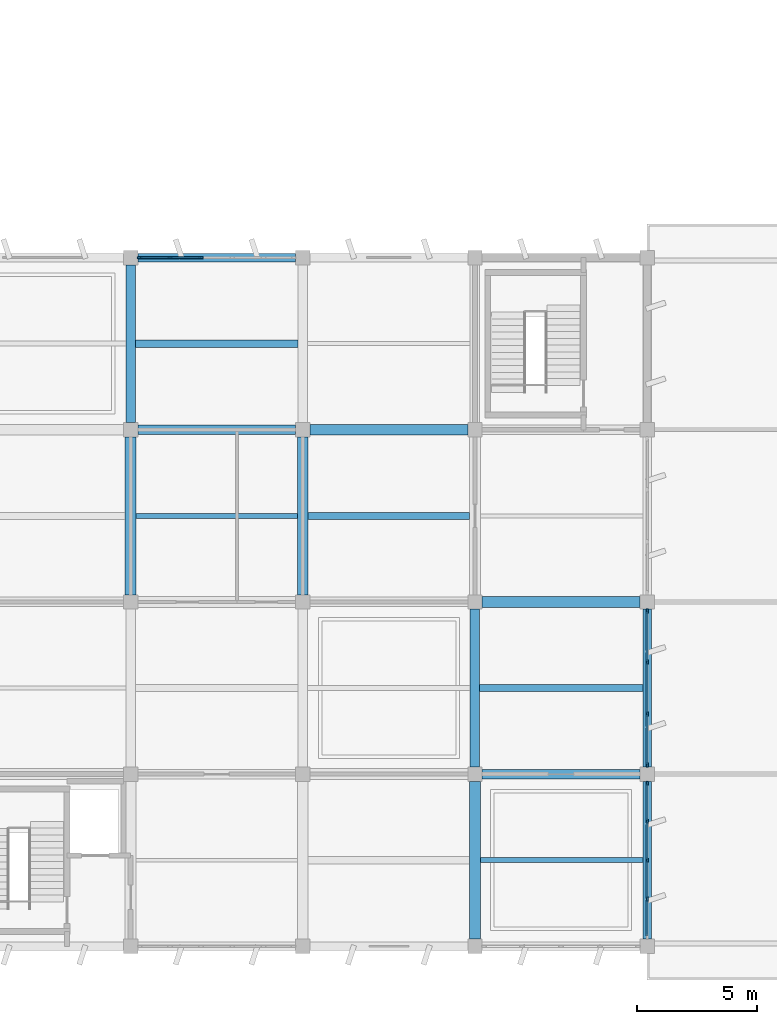
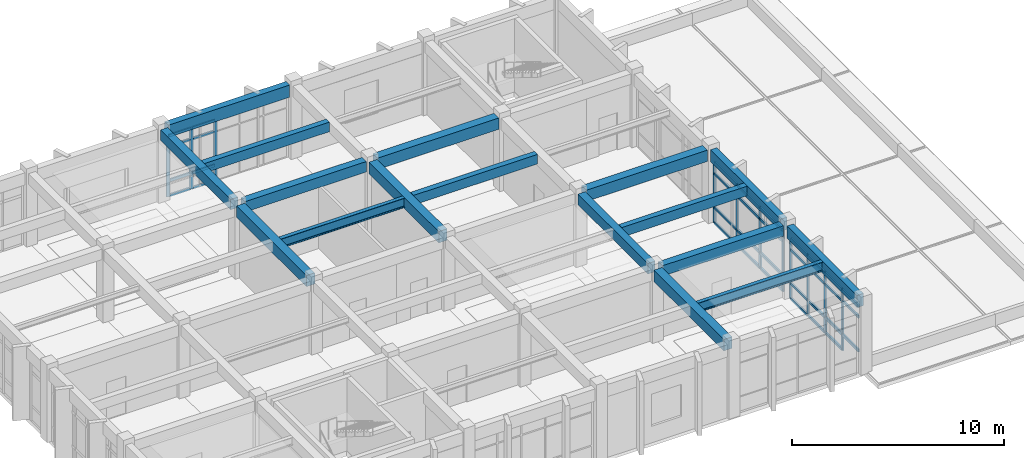
# One storey, part 29 of 81: 48 members, 15 beams, 3 elements without a shape of their own.
"""IFC4 building model written with IfcOpenShell, lengths in metres."""

from ifc_helpers import new_model, si_unit, direction, frame, origin, origin_2d, place, context, subcontext, project, spatial, rectangle, i_section, extrude, material, layer, layer_set, material_profile, profile_set, type_object, element, aggregate, save


model = new_model("IFC4")

# Units and contexts
model_context = context("Model", 3, precision=1e-05, world=origin(), true_north=direction((0.0, 1.0)))
body_context = subcontext(model_context, "Body", "Model", "MODEL_VIEW")
ifc_project = project(units=[si_unit("LENGTHUNIT", "METRE"), si_unit("AREAUNIT", "SQUARE_METRE"), si_unit("VOLUMEUNIT", "CUBIC_METRE"), si_unit("PLANEANGLEUNIT", "RADIAN"), si_unit("MASSUNIT", "GRAM", prefix="KILO")], contexts=[model_context])

# Site, building, storey
site_placement = place(None, origin())
site = spatial("IfcSite", under=ifc_project, at=site_placement, CompositionType="ELEMENT")
building_placement = place(site_placement, origin())
building = spatial("IfcBuilding", under=site, at=building_placement, Name="Kavelor Marine Aquarium", CompositionType="ELEMENT")
storey_placement = place(building_placement, frame((0.0, 0.0, 4.679931640625)))
storey = spatial("IfcBuildingStorey", under=building, at=storey_placement, Name="L01", CompositionType="ELEMENT", Elevation=4.679931640625)

# Beams
ifc_material_1 = material(Name="Concrete C40/50", Category="concrete")
ifc_material_profile_1 = material_profile(ifc_material_1, rectangle(XDim=0.449951171875, YDim=0.64990234375, at=origin_2d()), Name="RC-BM 450x650")
ifc_profile_set_1 = profile_set([ifc_material_profile_1], Name="Concrete C40/50")
beam_type_1 = type_object("IfcBeamType", Name="BM-B3", PredefinedType="BEAM", material=ifc_profile_set_1)
beam_1_placement = place(storey_placement, frame((140.300048828125, 24.39990234375, 3.875), z_axis=(1.0, 0.0, 0.0), x_axis=(0.0, 1.0, 0.0)))
element("IfcBeam", 1, at=beam_1_placement, inside=storey, type_object=beam_type_1, Name="bm:x:L01:L02:19_03", PredefinedType="BEAM", context=body_context, shape_type="SweptSolid", body=[
    extrude(rectangle(XDim=0.449951171875, YDim=0.64990234375, at=origin_2d()), origin(), (0.0, 0.0, 1.0), 6.599853515625),
])
for number, where, z_axis, x_axis, name in (
    (2, (147.5, 17.199951171875, 3.875), (1.0, 0.0, 0.0), (0.0, 1.0, 0.0), "bm:x:L01:L02:20_02"),
    (3, (132.800048828125, 17.5, 3.875), (0.0, 1.0, 0.0), (-1.0, 0.0, 0.0), "bm:y:L01:L02:18_02"),
    (4, (140.0, 17.5, 3.875), (0.0, 1.0, 0.0), (-1.0, 0.0, 0.0), "bm:y:L01:L02:19_02"),
):
    element("IfcBeam", number, at=place(storey_placement, frame(where, z_axis=z_axis, x_axis=x_axis)), inside=storey, type_object=beam_type_1, Name=name, PredefinedType="BEAM", context=body_context, shape_type="SweptSolid", body=[
        extrude(rectangle(XDim=0.449951171875, YDim=0.64990234375, at=origin_2d()), origin(), (0.0, 0.0, 1.0), 6.60009765625),
    ])
beam_2_placement = place(storey_placement, frame((147.199951171875, 3.10009765625, 3.875), z_axis=(0.0, 1.0, 0.0), x_axis=(-1.0, 0.0, 0.0)))
element("IfcBeam", 5, at=beam_2_placement, inside=storey, type_object=beam_type_1, Name="bm:y:L01:L02:20_00", PredefinedType="BEAM", context=body_context, shape_type="SweptSolid", body=[
    extrude(rectangle(XDim=0.449951171875, YDim=0.64990234375, at=origin_2d()), origin(), (0.0, 0.0, 1.0), 6.599853515625),
])
ifc_material_2 = material(Name="Concrete C40/50", Category="concrete")
ifc_material_profile_2 = material_profile(ifc_material_2, rectangle(XDim=0.39990234375, YDim=0.60009765625, at=origin_2d()), Name="RC-BM 400x600")
ifc_profile_set_2 = profile_set([ifc_material_profile_2], Name="Concrete C40/50")
beam_type_2 = type_object("IfcBeamType", Name="BM-B4", PredefinedType="BEAM", material=ifc_profile_set_2)
beam_3_placement = place(storey_placement, frame((133.10009765625, 24.39990234375, 3.900146484375), z_axis=(1.0, 0.0, 0.0), x_axis=(0.0, 1.0, 0.0)))
element("IfcBeam", 6, at=beam_3_placement, inside=storey, type_object=beam_type_2, Name="bm:x:L01:L02:18_03", PredefinedType="BEAM", context=body_context, shape_type="SweptSolid", body=[
    extrude(rectangle(XDim=0.39990234375, YDim=0.60009765625, at=origin_2d()), origin(), (0.0, 0.0, 1.0), 6.599853515625),
])
for number, where, z_axis, x_axis, name in (
    (7, (147.5, 10.0, 3.900146484375), (1.0, 0.0, 0.0), (0.0, 1.0, 0.0), "bm:x:L01:L02:20_01"),
    (8, (132.800048828125, 24.699951171875, 3.900146484375), (0.0, 1.0, 0.0), (-1.0, 0.0, 0.0), "bm:y:L01:L02:18_03"),
):
    element("IfcBeam", number, at=place(storey_placement, frame(where, z_axis=z_axis, x_axis=x_axis)), inside=storey, type_object=beam_type_2, Name=name, PredefinedType="BEAM", context=body_context, shape_type="SweptSolid", body=[
        extrude(rectangle(XDim=0.39990234375, YDim=0.60009765625, at=origin_2d()), origin(), (0.0, 0.0, 1.0), 6.60009765625),
    ])
beam_4_placement = place(storey_placement, frame((147.199951171875, 10.300048828125, 3.900146484375), z_axis=(0.0, 1.0, 0.0), x_axis=(-1.0, 0.0, 0.0)))
element("IfcBeam", 9, at=beam_4_placement, inside=storey, type_object=beam_type_2, Name="bm:y:L01:L02:20_01", PredefinedType="BEAM", context=body_context, shape_type="SweptSolid", body=[
    extrude(rectangle(XDim=0.39990234375, YDim=0.60009765625, at=origin_2d()), origin(), (0.0, 0.0, 1.0), 6.599853515625),
])
ifc_material_3 = material(Name="Concrete C40/50", Category="concrete")
ifc_material_profile_3 = material_profile(ifc_material_3, rectangle(XDim=0.300048828125, YDim=0.550048828125, at=origin_2d()), Name="RC-JS 300x550")
ifc_profile_set_3 = profile_set([ifc_material_profile_3], Name="Concrete C40/50")
beam_type_3 = type_object("IfcBeamType", Name="BM-JS2", PredefinedType="JOIST", material=ifc_profile_set_3)
beam_5_placement = place(storey_placement, frame((133.0, 28.0, 3.945068359375), z_axis=(1.0, 0.0, 0.0), x_axis=(0.0, 1.0, 0.0)))
element("IfcBeam", 10, at=beam_5_placement, inside=storey, type_object=beam_type_3, Name="js:L01:L02:18_03", PredefinedType="JOIST", context=body_context, shape_type="SweptSolid", body=[
    extrude(rectangle(XDim=0.300048828125, YDim=0.550048828125, at=origin_2d()), origin(), (0.0, 0.0, 1.0), 6.800048828125),
])
beam_6_placement = place(storey_placement, frame((140.22509765625, 20.800048828125, 3.945068359375), z_axis=(1.0, 0.0, 0.0), x_axis=(0.0, 1.0, 0.0)))
element("IfcBeam", 11, at=beam_6_placement, inside=storey, type_object=beam_type_3, Name="js:L01:L02:19_02", PredefinedType="JOIST", context=body_context, shape_type="SweptSolid", body=[
    extrude(rectangle(XDim=0.300048828125, YDim=0.550048828125, at=origin_2d()), origin(), (0.0, 0.0, 1.0), 6.75),
])
beam_7_placement = place(storey_placement, frame((147.39990234375, 13.60009765625, 3.945068359375), z_axis=(1.0, 0.0, 0.0), x_axis=(0.0, 1.0, 0.0)))
element("IfcBeam", 12, at=beam_7_placement, inside=storey, type_object=beam_type_3, Name="js:L01:L02:20_01", PredefinedType="JOIST", context=body_context, shape_type="SweptSolid", body=[
    extrude(rectangle(XDim=0.300048828125, YDim=0.550048828125, at=origin_2d()), origin(), (0.0, 0.0, 1.0), 6.8251953125),
])
ifc_material_4 = material(Name="Concrete C40/50", Category="concrete")
ifc_material_profile_4 = material_profile(ifc_material_4, rectangle(XDim=0.35009765625, YDim=0.699951171875, at=origin_2d()), Name="RC-SP 350x700")
ifc_profile_set_4 = profile_set([ifc_material_profile_4], Name="Concrete C40/50")
beam_type_4 = type_object("IfcBeamType", Name="BM-SP1", PredefinedType="SPANDREL", material=ifc_profile_set_4)
for number, where, z_axis, x_axis, name in (
    (13, (133.10009765625, 31.60009765625, 3.8701171875), (1.0, 0.0, 0.0), (0.0, 1.0, 0.0), "bm:x:L01:L02:18_04"),
    (14, (154.39990234375, 3.10009765625, 3.85009765625), (0.0, 1.0, 0.0), (-1.0, 0.0, 0.0), "bm:y:L01:L02:21_00"),
    (15, (154.39990234375, 10.300048828125, 3.8701171875), (0.0, 1.0, 0.0), (-1.0, 0.0, 0.0), "bm:y:L01:L02:21_01"),
):
    element("IfcBeam", number, at=place(storey_placement, frame(where, z_axis=z_axis, x_axis=x_axis)), inside=storey, type_object=beam_type_4, Name=name, PredefinedType="SPANDREL", context=body_context, shape_type="SweptSolid", body=[
        extrude(rectangle(XDim=0.35009765625, YDim=0.699951171875, at=origin_2d()), origin(), (0.0, 0.0, 1.0), 6.599853515625),
    ])

# Curtain wall, members
ifc_material_5 = material(Name="Thermally Broken Aluminium and Low-E Glass", Category="aluminium")
ifc_layer_1 = layer(ifc_material_5, 0.26806640625)
ifc_layer_set_1 = layer_set([ifc_layer_1], Name="CW-SYS16")
curtain_wall_type_1 = type_object("IfcCurtainWallType", Name="CW-SYS16", PredefinedType="USERDEFINED", material=ifc_layer_set_1)
curtain_wall_1_placement = place(storey_placement, origin())
curtain_wall_1 = element("IfcCurtainWall", 16, at=curtain_wall_1_placement, inside=storey, type_object=curtain_wall_type_1, Name="cw:y:L01:21_00", ObjectType="Curtain Wall", PredefinedType="USERDEFINED")
ifc_material_6 = material(Name="Anodised Aluminium Alloy 6063-T6", Category="aluminium")
ifc_material_profile_5 = material_profile(ifc_material_6, rectangle(XDim=0.074951171875, YDim=0.179931640625, at=origin_2d()), Name="CW-MUL 75x180")
ifc_profile_set_5 = profile_set([ifc_material_profile_5], Name="Anodised Aluminium Alloy 6063-T6")
member_type_1 = type_object("IfcMemberType", Name="CWM-1", PredefinedType="MULLION", material=ifc_profile_set_5)
member_1_placement = place(storey_placement, frame((154.39990234375, 4.7724609375, 0.0), z_axis=(0.0, 0.0, 1.0), x_axis=(-1.0, 0.0, 0.0)))
member_1 = element("IfcMember", 17, at=member_1_placement, type_object=member_type_1, Name="CW16 mullion 2", PredefinedType="MULLION", context=body_context, shape_type="SweptSolid", body=[
    extrude(rectangle(XDim=0.074951171875, YDim=0.179931640625, at=origin_2d()), origin(), (0.0, 0.0, 1.0), 3.489990234375),
])
member_2_placement = place(storey_placement, frame((154.39990234375, 6.39990234375, 0.0), z_axis=(0.0, 0.0, 1.0), x_axis=(-1.0, 0.0, 0.0)))
member_2 = element("IfcMember", 18, at=member_2_placement, type_object=member_type_1, Name="CW16 mullion 3", PredefinedType="MULLION", context=body_context, shape_type="SweptSolid", body=[
    extrude(rectangle(XDim=0.074951171875, YDim=0.179931640625, at=origin_2d()), origin(), (0.0, 0.0, 1.0), 3.489990234375),
])
member_3_placement = place(storey_placement, frame((154.39990234375, 8.027587890625, 0.0), z_axis=(0.0, 0.0, 1.0), x_axis=(-1.0, 0.0, 0.0)))
member_3 = element("IfcMember", 19, at=member_3_placement, type_object=member_type_1, Name="CW16 mullion 4", PredefinedType="MULLION", context=body_context, shape_type="SweptSolid", body=[
    extrude(rectangle(XDim=0.074951171875, YDim=0.179931640625, at=origin_2d()), origin(), (0.0, 0.0, 1.0), 3.489990234375),
])
member_4_placement = place(storey_placement, frame((154.39990234375, 9.617431640625, 0.0), z_axis=(0.0, 0.0, 1.0), x_axis=(-1.0, 0.0, 0.0)))
member_4 = element("IfcMember", 20, at=member_4_placement, type_object=member_type_1, Name="CW16 mullion 5", PredefinedType="MULLION", context=body_context, shape_type="SweptSolid", body=[
    extrude(rectangle(XDim=0.074951171875, YDim=0.179931640625, at=origin_2d()), origin(), (0.0, 0.0, 1.0), 3.489990234375),
])

ifc_material_7 = material(Name="Thermally Broken Aluminium and Low-E Glass", Category="aluminium")
ifc_layer_2 = layer(ifc_material_7, 0.2041015625)
ifc_layer_set_2 = layer_set([ifc_layer_2], Name="CW-SYS8")
curtain_wall_type_2 = type_object("IfcCurtainWallType", Name="CW-SYS8", PredefinedType="USERDEFINED", material=ifc_layer_set_2)
curtain_wall_2_placement = place(storey_placement, origin())
curtain_wall_2 = element("IfcCurtainWall", 21, at=curtain_wall_2_placement, inside=storey, type_object=curtain_wall_type_2, Name="cw:x:L01:18_04", ObjectType="Curtain Wall", PredefinedType="USERDEFINED")
ifc_material_8 = material(Name="Anodised Aluminium Alloy 6063-T6", Category="aluminium")
ifc_material_profile_6 = material_profile(ifc_material_8, rectangle(XDim=0.080078125, YDim=0.18505859375, at=origin_2d()), Name="CW-MUL 80x185")
ifc_profile_set_6 = profile_set([ifc_material_profile_6], Name="Anodised Aluminium Alloy 6063-T6")
member_type_2 = type_object("IfcMemberType", Name="CWM-2", PredefinedType="MULLION", material=ifc_profile_set_6)
member_5_placement = place(storey_placement, frame((133.177490234375, 31.60009765625, 0.0), z_axis=(0.0, 0.0, 1.0), x_axis=(0.0, 1.0, 0.0)))
member_5 = element("IfcMember", 22, at=member_5_placement, type_object=member_type_2, Name="CW08 mullion 1", PredefinedType="MULLION", context=body_context, shape_type="SweptSolid", body=[
    extrude(rectangle(XDim=0.080078125, YDim=0.18505859375, at=origin_2d()), origin(), (0.0, 0.0, 1.0), 3.510009765625),
])
member_6_placement = place(storey_placement, frame((134.447021484375, 31.60009765625, 0.0), z_axis=(0.0, 0.0, 1.0), x_axis=(0.0, 1.0, 0.0)))
member_6 = element("IfcMember", 23, at=member_6_placement, type_object=member_type_2, Name="CW08 mullion 2", PredefinedType="MULLION", context=body_context, shape_type="SweptSolid", body=[
    extrude(rectangle(XDim=0.080078125, YDim=0.18505859375, at=origin_2d()), origin(), (0.0, 0.0, 1.0), 3.510009765625),
])
member_7_placement = place(storey_placement, frame((135.7490234375, 31.60009765625, 0.0), z_axis=(0.0, 0.0, 1.0), x_axis=(0.0, 1.0, 0.0)))
member_7 = element("IfcMember", 24, at=member_7_placement, type_object=member_type_2, Name="CW08 mullion 3", PredefinedType="MULLION", context=body_context, shape_type="SweptSolid", body=[
    extrude(rectangle(XDim=0.080078125, YDim=0.18505859375, at=origin_2d()), origin(), (0.0, 0.0, 1.0), 3.510009765625),
])

ifc_material_9 = material(Name="Thermally Broken Aluminium and Low-E Glass", Category="aluminium")
ifc_layer_3 = layer(ifc_material_9, 0.27587890625)
ifc_layer_set_3 = layer_set([ifc_layer_3], Name="CW-SYS17")
curtain_wall_type_3 = type_object("IfcCurtainWallType", Name="CW-SYS17", PredefinedType="USERDEFINED", material=ifc_layer_set_3)
curtain_wall_3_placement = place(storey_placement, origin())
curtain_wall_3 = element("IfcCurtainWall", 25, at=curtain_wall_3_placement, inside=storey, type_object=curtain_wall_type_3, Name="cw:y:L01:21_01", ObjectType="Curtain Wall", PredefinedType="USERDEFINED")
member_8_placement = place(storey_placement, frame((154.39990234375, 10.37744140625, 0.0), z_axis=(0.0, 0.0, 1.0), x_axis=(-1.0, 0.0, 0.0)))
member_8 = element("IfcMember", 26, at=member_8_placement, type_object=member_type_2, Name="CW17 mullion 1", PredefinedType="MULLION", context=body_context, shape_type="SweptSolid", body=[
    extrude(rectangle(XDim=0.080078125, YDim=0.18505859375, at=origin_2d()), origin(), (0.0, 0.0, 1.0), 3.510009765625),
])
member_9_placement = place(storey_placement, frame((154.39990234375, 12.514892578125, 0.0), z_axis=(0.0, 0.0, 1.0), x_axis=(-1.0, 0.0, 0.0)))
member_9 = element("IfcMember", 27, at=member_9_placement, type_object=member_type_2, Name="CW17 mullion 2", PredefinedType="MULLION", context=body_context, shape_type="SweptSolid", body=[
    extrude(rectangle(XDim=0.080078125, YDim=0.18505859375, at=origin_2d()), origin(), (0.0, 0.0, 1.0), 3.510009765625),
])
member_10_placement = place(storey_placement, frame((154.39990234375, 14.68505859375, 0.0), z_axis=(0.0, 0.0, 1.0), x_axis=(-1.0, 0.0, 0.0)))
member_10 = element("IfcMember", 28, at=member_10_placement, type_object=member_type_2, Name="CW17 mullion 3", PredefinedType="MULLION", context=body_context, shape_type="SweptSolid", body=[
    extrude(rectangle(XDim=0.080078125, YDim=0.18505859375, at=origin_2d()), origin(), (0.0, 0.0, 1.0), 3.510009765625),
])
member_11_placement = place(storey_placement, frame((154.39990234375, 16.822509765625, 0.0), z_axis=(0.0, 0.0, 1.0), x_axis=(-1.0, 0.0, 0.0)))
member_11 = element("IfcMember", 29, at=member_11_placement, type_object=member_type_2, Name="CW17 mullion 4", PredefinedType="MULLION", context=body_context, shape_type="SweptSolid", body=[
    extrude(rectangle(XDim=0.080078125, YDim=0.18505859375, at=origin_2d()), origin(), (0.0, 0.0, 1.0), 3.510009765625),
])

# Member
ifc_material_10 = material(Name="Anodised Aluminium Alloy 6063-T6", Category="aluminium")
ifc_material_profile_7 = material_profile(ifc_material_10, rectangle(XDim=0.080078125, YDim=0.155029296875, at=origin_2d()), Name="CW-TRN 80x155")
ifc_profile_set_7 = profile_set([ifc_material_profile_7], Name="Anodised Aluminium Alloy 6063-T6")
member_type_3 = type_object("IfcMemberType", Name="CWT-2", PredefinedType="USERDEFINED", material=ifc_profile_set_7)
member_12_placement = place(storey_placement, frame((133.2099609375, 31.60009765625, 0.032470703125), z_axis=(1.0, 0.0, 0.0), x_axis=(0.0, 1.0, 0.0)))
member_12 = element("IfcMember", 30, at=member_12_placement, type_object=member_type_3, Name="CW08 transom 1.1", ObjectType="TRANSOM", PredefinedType="USERDEFINED", context=body_context, shape_type="SweptSolid", body=[
    extrude(rectangle(XDim=0.080078125, YDim=0.155029296875, at=origin_2d()), origin(), (0.0, 0.0, 1.0), 1.20458984375),
])

member_13_placement = place(storey_placement, frame((133.2099609375, 31.60009765625, 0.900146484375), z_axis=(1.0, 0.0, 0.0), x_axis=(0.0, 1.0, 0.0)))
member_13 = element("IfcMember", 31, at=member_13_placement, type_object=member_type_3, Name="CW08 transom 1.2", ObjectType="TRANSOM", PredefinedType="USERDEFINED", context=body_context, shape_type="SweptSolid", body=[
    extrude(rectangle(XDim=0.080078125, YDim=0.155029296875, at=origin_2d()), origin(), (0.0, 0.0, 1.0), 1.20458984375),
])

member_14_placement = place(storey_placement, frame((133.2099609375, 31.60009765625, 2.860107421875), z_axis=(1.0, 0.0, 0.0), x_axis=(0.0, 1.0, 0.0)))
member_14 = element("IfcMember", 32, at=member_14_placement, type_object=member_type_3, Name="CW08 transom 1.3", ObjectType="TRANSOM", PredefinedType="USERDEFINED", context=body_context, shape_type="SweptSolid", body=[
    extrude(rectangle(XDim=0.080078125, YDim=0.155029296875, at=origin_2d()), origin(), (0.0, 0.0, 1.0), 1.20458984375),
])

member_15_placement = place(storey_placement, frame((133.2099609375, 31.60009765625, 3.4775390625), z_axis=(1.0, 0.0, 0.0), x_axis=(0.0, 1.0, 0.0)))
member_15 = element("IfcMember", 33, at=member_15_placement, type_object=member_type_3, Name="CW08 transom 1.4", ObjectType="TRANSOM", PredefinedType="USERDEFINED", context=body_context, shape_type="SweptSolid", body=[
    extrude(rectangle(XDim=0.080078125, YDim=0.155029296875, at=origin_2d()), origin(), (0.0, 0.0, 1.0), 1.20458984375),
])

member_16_placement = place(storey_placement, frame((134.4794921875, 31.60009765625, 0.032470703125), z_axis=(1.0, 0.0, 0.0), x_axis=(0.0, 1.0, 0.0)))
member_16 = element("IfcMember", 34, at=member_16_placement, type_object=member_type_3, Name="CW08 transom 2.1", ObjectType="TRANSOM", PredefinedType="USERDEFINED", context=body_context, shape_type="SweptSolid", body=[
    extrude(rectangle(XDim=0.080078125, YDim=0.155029296875, at=origin_2d()), origin(), (0.0, 0.0, 1.0), 1.237060546875),
])

member_17_placement = place(storey_placement, frame((134.4794921875, 31.60009765625, 0.900146484375), z_axis=(1.0, 0.0, 0.0), x_axis=(0.0, 1.0, 0.0)))
member_17 = element("IfcMember", 35, at=member_17_placement, type_object=member_type_3, Name="CW08 transom 2.2", ObjectType="TRANSOM", PredefinedType="USERDEFINED", context=body_context, shape_type="SweptSolid", body=[
    extrude(rectangle(XDim=0.080078125, YDim=0.155029296875, at=origin_2d()), origin(), (0.0, 0.0, 1.0), 1.237060546875),
])

member_18_placement = place(storey_placement, frame((134.4794921875, 31.60009765625, 2.860107421875), z_axis=(1.0, 0.0, 0.0), x_axis=(0.0, 1.0, 0.0)))
member_18 = element("IfcMember", 36, at=member_18_placement, type_object=member_type_3, Name="CW08 transom 2.3", ObjectType="TRANSOM", PredefinedType="USERDEFINED", context=body_context, shape_type="SweptSolid", body=[
    extrude(rectangle(XDim=0.080078125, YDim=0.155029296875, at=origin_2d()), origin(), (0.0, 0.0, 1.0), 1.237060546875),
])

member_19_placement = place(storey_placement, frame((134.4794921875, 31.60009765625, 3.4775390625), z_axis=(1.0, 0.0, 0.0), x_axis=(0.0, 1.0, 0.0)))
member_19 = element("IfcMember", 37, at=member_19_placement, type_object=member_type_3, Name="CW08 transom 2.4", ObjectType="TRANSOM", PredefinedType="USERDEFINED", context=body_context, shape_type="SweptSolid", body=[
    extrude(rectangle(XDim=0.080078125, YDim=0.155029296875, at=origin_2d()), origin(), (0.0, 0.0, 1.0), 1.237060546875),
])

aggregate(curtain_wall_2, [member_5, member_6, member_7, member_12, member_13, member_14, member_15, member_16, member_17, member_18, member_19])

ifc_material_11 = material(Name="Anodised Aluminium Alloy 6063-T6", Category="aluminium")
ifc_material_profile_8 = material_profile(ifc_material_11, rectangle(XDim=0.0849609375, YDim=0.159912109375, at=origin_2d()), Name="CW-TRN 85x160")
ifc_profile_set_8 = profile_set([ifc_material_profile_8], Name="Anodised Aluminium Alloy 6063-T6")
member_type_4 = type_object("IfcMemberType", Name="CWT-3", PredefinedType="USERDEFINED", material=ifc_profile_set_8)
member_20_placement = place(storey_placement, frame((154.39990234375, 3.219970703125, 0.900146484375), z_axis=(0.0, 1.0, 0.0), x_axis=(-1.0, 0.0, 0.0)))
member_20 = element("IfcMember", 38, at=member_20_placement, type_object=member_type_4, Name="CW16 transom 1.2", ObjectType="TRANSOM", PredefinedType="USERDEFINED", context=body_context, shape_type="SweptSolid", body=[
    extrude(rectangle(XDim=0.0849609375, YDim=0.159912109375, at=origin_2d()), origin(), (0.0, 0.0, 1.0), 1.51513671875),
])

member_21_placement = place(storey_placement, frame((154.39990234375, 3.219970703125, 2.840087890625), z_axis=(0.0, 1.0, 0.0), x_axis=(-1.0, 0.0, 0.0)))
member_21 = element("IfcMember", 39, at=member_21_placement, type_object=member_type_4, Name="CW16 transom 1.3", ObjectType="TRANSOM", PredefinedType="USERDEFINED", context=body_context, shape_type="SweptSolid", body=[
    extrude(rectangle(XDim=0.0849609375, YDim=0.159912109375, at=origin_2d()), origin(), (0.0, 0.0, 1.0), 1.51513671875),
])

member_22_placement = place(storey_placement, frame((154.39990234375, 3.219970703125, 3.4599609375), z_axis=(0.0, 1.0, 0.0), x_axis=(-1.0, 0.0, 0.0)))
member_22 = element("IfcMember", 40, at=member_22_placement, type_object=member_type_4, Name="CW16 transom 1.4", ObjectType="TRANSOM", PredefinedType="USERDEFINED", context=body_context, shape_type="SweptSolid", body=[
    extrude(rectangle(XDim=0.0849609375, YDim=0.159912109375, at=origin_2d()), origin(), (0.0, 0.0, 1.0), 1.51513671875),
])

member_23_placement = place(storey_placement, frame((154.39990234375, 4.81005859375, 0.030029296875), z_axis=(0.0, 1.0, 0.0), x_axis=(-1.0, 0.0, 0.0)))
member_23 = element("IfcMember", 41, at=member_23_placement, type_object=member_type_4, Name="CW16 transom 2.1", ObjectType="TRANSOM", PredefinedType="USERDEFINED", context=body_context, shape_type="SweptSolid", body=[
    extrude(rectangle(XDim=0.0849609375, YDim=0.159912109375, at=origin_2d()), origin(), (0.0, 0.0, 1.0), 1.552490234375),
])

member_24_placement = place(storey_placement, frame((154.39990234375, 4.81005859375, 0.900146484375), z_axis=(0.0, 1.0, 0.0), x_axis=(-1.0, 0.0, 0.0)))
member_24 = element("IfcMember", 42, at=member_24_placement, type_object=member_type_4, Name="CW16 transom 2.2", ObjectType="TRANSOM", PredefinedType="USERDEFINED", context=body_context, shape_type="SweptSolid", body=[
    extrude(rectangle(XDim=0.0849609375, YDim=0.159912109375, at=origin_2d()), origin(), (0.0, 0.0, 1.0), 1.552490234375),
])

member_25_placement = place(storey_placement, frame((154.39990234375, 4.81005859375, 2.840087890625), z_axis=(0.0, 1.0, 0.0), x_axis=(-1.0, 0.0, 0.0)))
member_25 = element("IfcMember", 43, at=member_25_placement, type_object=member_type_4, Name="CW16 transom 2.3", ObjectType="TRANSOM", PredefinedType="USERDEFINED", context=body_context, shape_type="SweptSolid", body=[
    extrude(rectangle(XDim=0.0849609375, YDim=0.159912109375, at=origin_2d()), origin(), (0.0, 0.0, 1.0), 1.552490234375),
])

member_26_placement = place(storey_placement, frame((154.39990234375, 4.81005859375, 3.4599609375), z_axis=(0.0, 1.0, 0.0), x_axis=(-1.0, 0.0, 0.0)))
member_26 = element("IfcMember", 44, at=member_26_placement, type_object=member_type_4, Name="CW16 transom 2.4", ObjectType="TRANSOM", PredefinedType="USERDEFINED", context=body_context, shape_type="SweptSolid", body=[
    extrude(rectangle(XDim=0.0849609375, YDim=0.159912109375, at=origin_2d()), origin(), (0.0, 0.0, 1.0), 1.552490234375),
])

member_27_placement = place(storey_placement, frame((154.39990234375, 6.4375, 0.030029296875), z_axis=(0.0, 1.0, 0.0), x_axis=(-1.0, 0.0, 0.0)))
member_27 = element("IfcMember", 45, at=member_27_placement, type_object=member_type_4, Name="CW16 transom 3.1", ObjectType="TRANSOM", PredefinedType="USERDEFINED", context=body_context, shape_type="SweptSolid", body=[
    extrude(rectangle(XDim=0.0849609375, YDim=0.159912109375, at=origin_2d()), origin(), (0.0, 0.0, 1.0), 1.552490234375),
])

member_28_placement = place(storey_placement, frame((154.39990234375, 6.4375, 0.900146484375), z_axis=(0.0, 1.0, 0.0), x_axis=(-1.0, 0.0, 0.0)))
member_28 = element("IfcMember", 46, at=member_28_placement, type_object=member_type_4, Name="CW16 transom 3.2", ObjectType="TRANSOM", PredefinedType="USERDEFINED", context=body_context, shape_type="SweptSolid", body=[
    extrude(rectangle(XDim=0.0849609375, YDim=0.159912109375, at=origin_2d()), origin(), (0.0, 0.0, 1.0), 1.552490234375),
])

member_29_placement = place(storey_placement, frame((154.39990234375, 6.4375, 2.840087890625), z_axis=(0.0, 1.0, 0.0), x_axis=(-1.0, 0.0, 0.0)))
member_29 = element("IfcMember", 47, at=member_29_placement, type_object=member_type_4, Name="CW16 transom 3.3", ObjectType="TRANSOM", PredefinedType="USERDEFINED", context=body_context, shape_type="SweptSolid", body=[
    extrude(rectangle(XDim=0.0849609375, YDim=0.159912109375, at=origin_2d()), origin(), (0.0, 0.0, 1.0), 1.552490234375),
])

member_30_placement = place(storey_placement, frame((154.39990234375, 6.4375, 3.4599609375), z_axis=(0.0, 1.0, 0.0), x_axis=(-1.0, 0.0, 0.0)))
member_30 = element("IfcMember", 48, at=member_30_placement, type_object=member_type_4, Name="CW16 transom 3.4", ObjectType="TRANSOM", PredefinedType="USERDEFINED", context=body_context, shape_type="SweptSolid", body=[
    extrude(rectangle(XDim=0.0849609375, YDim=0.159912109375, at=origin_2d()), origin(), (0.0, 0.0, 1.0), 1.552490234375),
])

member_31_placement = place(storey_placement, frame((154.39990234375, 8.06494140625, 0.030029296875), z_axis=(0.0, 1.0, 0.0), x_axis=(-1.0, 0.0, 0.0)))
member_31 = element("IfcMember", 49, at=member_31_placement, type_object=member_type_4, Name="CW16 transom 4.1", ObjectType="TRANSOM", PredefinedType="USERDEFINED", context=body_context, shape_type="SweptSolid", body=[
    extrude(rectangle(XDim=0.0849609375, YDim=0.159912109375, at=origin_2d()), origin(), (0.0, 0.0, 1.0), 1.51513671875),
])

member_32_placement = place(storey_placement, frame((154.39990234375, 8.06494140625, 0.900146484375), z_axis=(0.0, 1.0, 0.0), x_axis=(-1.0, 0.0, 0.0)))
member_32 = element("IfcMember", 50, at=member_32_placement, type_object=member_type_4, Name="CW16 transom 4.2", ObjectType="TRANSOM", PredefinedType="USERDEFINED", context=body_context, shape_type="SweptSolid", body=[
    extrude(rectangle(XDim=0.0849609375, YDim=0.159912109375, at=origin_2d()), origin(), (0.0, 0.0, 1.0), 1.51513671875),
])

member_33_placement = place(storey_placement, frame((154.39990234375, 8.06494140625, 2.840087890625), z_axis=(0.0, 1.0, 0.0), x_axis=(-1.0, 0.0, 0.0)))
member_33 = element("IfcMember", 51, at=member_33_placement, type_object=member_type_4, Name="CW16 transom 4.3", ObjectType="TRANSOM", PredefinedType="USERDEFINED", context=body_context, shape_type="SweptSolid", body=[
    extrude(rectangle(XDim=0.0849609375, YDim=0.159912109375, at=origin_2d()), origin(), (0.0, 0.0, 1.0), 1.51513671875),
])

member_34_placement = place(storey_placement, frame((154.39990234375, 8.06494140625, 3.4599609375), z_axis=(0.0, 1.0, 0.0), x_axis=(-1.0, 0.0, 0.0)))
member_34 = element("IfcMember", 52, at=member_34_placement, type_object=member_type_4, Name="CW16 transom 4.4", ObjectType="TRANSOM", PredefinedType="USERDEFINED", context=body_context, shape_type="SweptSolid", body=[
    extrude(rectangle(XDim=0.0849609375, YDim=0.159912109375, at=origin_2d()), origin(), (0.0, 0.0, 1.0), 1.51513671875),
])

aggregate(curtain_wall_1, [member_1, member_2, member_3, member_4, member_20, member_21, member_22, member_23, member_24, member_25, member_26, member_27, member_28, member_29, member_30, member_31, member_32, member_33, member_34])

member_35_placement = place(storey_placement, frame((154.39990234375, 10.409912109375, 0.030029296875), z_axis=(0.0, 1.0, 0.0), x_axis=(-1.0, 0.0, 0.0)))
member_35 = element("IfcMember", 53, at=member_35_placement, type_object=member_type_4, Name="CW17 transom 1.1", ObjectType="TRANSOM", PredefinedType="USERDEFINED", context=body_context, shape_type="SweptSolid", body=[
    extrude(rectangle(XDim=0.0849609375, YDim=0.159912109375, at=origin_2d()), origin(), (0.0, 0.0, 1.0), 2.072509765625),
])

member_36_placement = place(storey_placement, frame((154.39990234375, 10.409912109375, 0.900146484375), z_axis=(0.0, 1.0, 0.0), x_axis=(-1.0, 0.0, 0.0)))
member_36 = element("IfcMember", 54, at=member_36_placement, type_object=member_type_4, Name="CW17 transom 1.2", ObjectType="TRANSOM", PredefinedType="USERDEFINED", context=body_context, shape_type="SweptSolid", body=[
    extrude(rectangle(XDim=0.0849609375, YDim=0.159912109375, at=origin_2d()), origin(), (0.0, 0.0, 1.0), 2.072509765625),
])

member_37_placement = place(storey_placement, frame((154.39990234375, 10.409912109375, 2.860107421875), z_axis=(0.0, 1.0, 0.0), x_axis=(-1.0, 0.0, 0.0)))
member_37 = element("IfcMember", 55, at=member_37_placement, type_object=member_type_4, Name="CW17 transom 1.3", ObjectType="TRANSOM", PredefinedType="USERDEFINED", context=body_context, shape_type="SweptSolid", body=[
    extrude(rectangle(XDim=0.0849609375, YDim=0.159912109375, at=origin_2d()), origin(), (0.0, 0.0, 1.0), 2.072509765625),
])

member_38_placement = place(storey_placement, frame((154.39990234375, 10.409912109375, 3.47998046875), z_axis=(0.0, 1.0, 0.0), x_axis=(-1.0, 0.0, 0.0)))
member_38 = element("IfcMember", 56, at=member_38_placement, type_object=member_type_4, Name="CW17 transom 1.4", ObjectType="TRANSOM", PredefinedType="USERDEFINED", context=body_context, shape_type="SweptSolid", body=[
    extrude(rectangle(XDim=0.0849609375, YDim=0.159912109375, at=origin_2d()), origin(), (0.0, 0.0, 1.0), 2.072509765625),
])

member_39_placement = place(storey_placement, frame((154.39990234375, 12.547607421875, 0.030029296875), z_axis=(0.0, 1.0, 0.0), x_axis=(-1.0, 0.0, 0.0)))
member_39 = element("IfcMember", 57, at=member_39_placement, type_object=member_type_4, Name="CW17 transom 2.1", ObjectType="TRANSOM", PredefinedType="USERDEFINED", context=body_context, shape_type="SweptSolid", body=[
    extrude(rectangle(XDim=0.0849609375, YDim=0.159912109375, at=origin_2d()), origin(), (0.0, 0.0, 1.0), 2.10498046875),
])

member_40_placement = place(storey_placement, frame((154.39990234375, 12.547607421875, 0.900146484375), z_axis=(0.0, 1.0, 0.0), x_axis=(-1.0, 0.0, 0.0)))
member_40 = element("IfcMember", 58, at=member_40_placement, type_object=member_type_4, Name="CW17 transom 2.2", ObjectType="TRANSOM", PredefinedType="USERDEFINED", context=body_context, shape_type="SweptSolid", body=[
    extrude(rectangle(XDim=0.0849609375, YDim=0.159912109375, at=origin_2d()), origin(), (0.0, 0.0, 1.0), 2.10498046875),
])

member_41_placement = place(storey_placement, frame((154.39990234375, 12.547607421875, 2.860107421875), z_axis=(0.0, 1.0, 0.0), x_axis=(-1.0, 0.0, 0.0)))
member_41 = element("IfcMember", 59, at=member_41_placement, type_object=member_type_4, Name="CW17 transom 2.3", ObjectType="TRANSOM", PredefinedType="USERDEFINED", context=body_context, shape_type="SweptSolid", body=[
    extrude(rectangle(XDim=0.0849609375, YDim=0.159912109375, at=origin_2d()), origin(), (0.0, 0.0, 1.0), 2.10498046875),
])

member_42_placement = place(storey_placement, frame((154.39990234375, 12.547607421875, 3.47998046875), z_axis=(0.0, 1.0, 0.0), x_axis=(-1.0, 0.0, 0.0)))
member_42 = element("IfcMember", 60, at=member_42_placement, type_object=member_type_4, Name="CW17 transom 2.4", ObjectType="TRANSOM", PredefinedType="USERDEFINED", context=body_context, shape_type="SweptSolid", body=[
    extrude(rectangle(XDim=0.0849609375, YDim=0.159912109375, at=origin_2d()), origin(), (0.0, 0.0, 1.0), 2.10498046875),
])

member_43_placement = place(storey_placement, frame((154.39990234375, 14.717529296875, 0.030029296875), z_axis=(0.0, 1.0, 0.0), x_axis=(-1.0, 0.0, 0.0)))
member_43 = element("IfcMember", 61, at=member_43_placement, type_object=member_type_4, Name="CW17 transom 3.1", ObjectType="TRANSOM", PredefinedType="USERDEFINED", context=body_context, shape_type="SweptSolid", body=[
    extrude(rectangle(XDim=0.0849609375, YDim=0.159912109375, at=origin_2d()), origin(), (0.0, 0.0, 1.0), 2.072509765625),
])

member_44_placement = place(storey_placement, frame((154.39990234375, 14.717529296875, 0.900146484375), z_axis=(0.0, 1.0, 0.0), x_axis=(-1.0, 0.0, 0.0)))
member_44 = element("IfcMember", 62, at=member_44_placement, type_object=member_type_4, Name="CW17 transom 3.2", ObjectType="TRANSOM", PredefinedType="USERDEFINED", context=body_context, shape_type="SweptSolid", body=[
    extrude(rectangle(XDim=0.0849609375, YDim=0.159912109375, at=origin_2d()), origin(), (0.0, 0.0, 1.0), 2.072509765625),
])

member_45_placement = place(storey_placement, frame((154.39990234375, 14.717529296875, 2.860107421875), z_axis=(0.0, 1.0, 0.0), x_axis=(-1.0, 0.0, 0.0)))
member_45 = element("IfcMember", 63, at=member_45_placement, type_object=member_type_4, Name="CW17 transom 3.3", ObjectType="TRANSOM", PredefinedType="USERDEFINED", context=body_context, shape_type="SweptSolid", body=[
    extrude(rectangle(XDim=0.0849609375, YDim=0.159912109375, at=origin_2d()), origin(), (0.0, 0.0, 1.0), 2.072509765625),
])

member_46_placement = place(storey_placement, frame((154.39990234375, 14.717529296875, 3.47998046875), z_axis=(0.0, 1.0, 0.0), x_axis=(-1.0, 0.0, 0.0)))
member_46 = element("IfcMember", 64, at=member_46_placement, type_object=member_type_4, Name="CW17 transom 3.4", ObjectType="TRANSOM", PredefinedType="USERDEFINED", context=body_context, shape_type="SweptSolid", body=[
    extrude(rectangle(XDim=0.0849609375, YDim=0.159912109375, at=origin_2d()), origin(), (0.0, 0.0, 1.0), 2.072509765625),
])

aggregate(curtain_wall_3, [member_8, member_9, member_10, member_11, member_35, member_36, member_37, member_38, member_39, member_40, member_41, member_42, member_43, member_44, member_45, member_46])

# Members
ifc_material_12 = material(Name="Steel S355", Category="steel")
ifc_material_profile_9 = material_profile(ifc_material_12, i_section(OverallWidth=0.2099609375, OverallDepth=0.550048828125, WebThickness=0.010986328125, FlangeThickness=0.01708984375, FilletRadius=0.02392578125, at=origin_2d()), Name="IPE 550")
ifc_profile_set_9 = profile_set([ifc_material_profile_9], Name="Steel S355")
member_type_5 = type_object("IfcMemberType", Name="PR-SJ1", PredefinedType="PURLIN", material=ifc_profile_set_9)
member_47_placement = place(storey_placement, frame((133.02490234375, 20.800048828125, 3.925048828125), z_axis=(1.0, 0.0, 0.0), x_axis=(0.0, 1.0, 0.0)))
element("IfcMember", 65, at=member_47_placement, inside=storey, type_object=member_type_5, Name="js:L01:L02:18_02", PredefinedType="PURLIN", context=body_context, shape_type="SweptSolid", body=[
    extrude(i_section(OverallWidth=0.2099609375, OverallDepth=0.550048828125, WebThickness=0.010986328125, FlangeThickness=0.01708984375, FilletRadius=0.02392578125, at=origin_2d()), origin(), (0.0, 0.0, 1.0), 6.75),
])
member_48_placement = place(storey_placement, frame((147.425048828125, 6.39990234375, 3.925048828125), z_axis=(1.0, 0.0, 0.0), x_axis=(0.0, 1.0, 0.0)))
element("IfcMember", 66, at=member_48_placement, inside=storey, type_object=member_type_5, Name="js:L01:L02:20_00", PredefinedType="PURLIN", context=body_context, shape_type="SweptSolid", body=[
    extrude(i_section(OverallWidth=0.2099609375, OverallDepth=0.550048828125, WebThickness=0.010986328125, FlangeThickness=0.01708984375, FilletRadius=0.02392578125, at=origin_2d()), origin(), (0.0, 0.0, 1.0), 6.800048828125),
])

save(model, "model.ifc")
